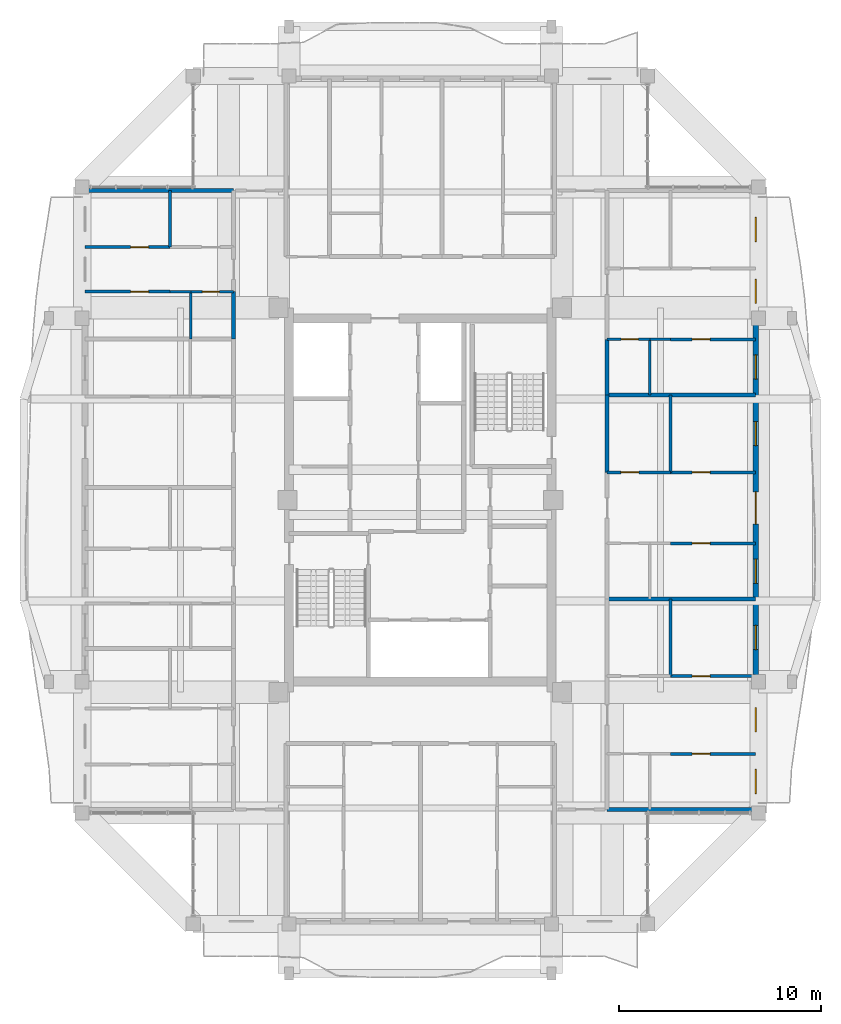
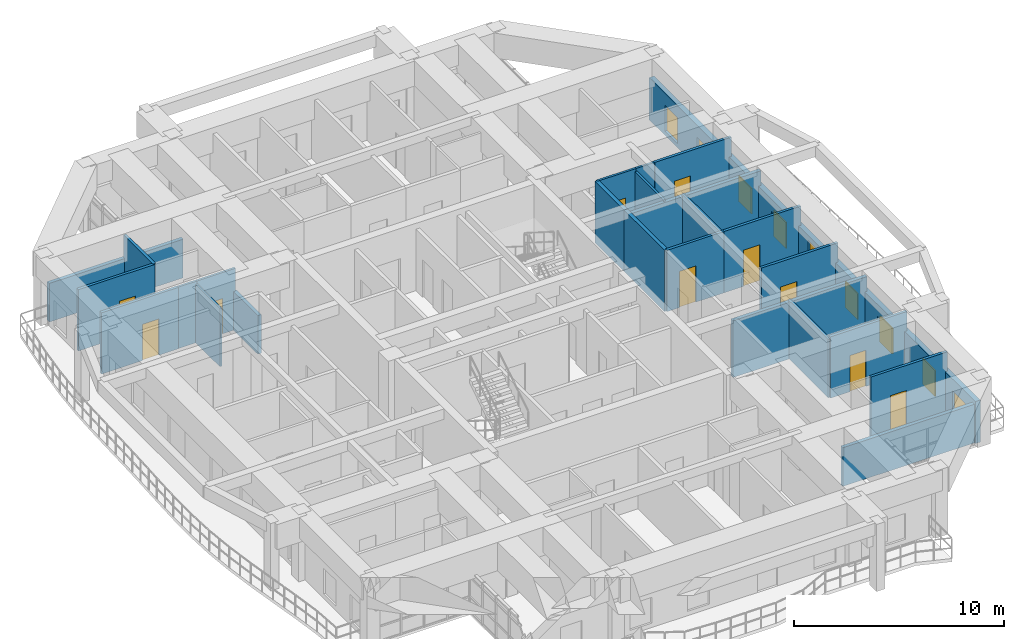
# One storey, part 19 of 27: 25 walls, 11 doors, 8 windows, 19 openings.
"""IFC4 building model written with IfcOpenShell, lengths in metres."""

from ifc_helpers import new_model, si_unit, direction, frame, frame_2d, origin, place, context, subcontext, project, spatial, rectangle, extrude, source, transform, mapped, material, layer, layer_set, type_object, element, fill, save


model = new_model("IFC4")

# Units and contexts
model_context = context("Model", 3, precision=1e-05, world=origin(), true_north=direction((0.0, 1.0)))
body_context = subcontext(model_context, "Body", "Model", "MODEL_VIEW")
ifc_project = project(units=[si_unit("LENGTHUNIT", "METRE"), si_unit("AREAUNIT", "SQUARE_METRE"), si_unit("VOLUMEUNIT", "CUBIC_METRE"), si_unit("PLANEANGLEUNIT", "RADIAN"), si_unit("MASSUNIT", "GRAM", prefix="KILO")], contexts=[model_context])

# Site, building, storey
site_placement = place(None, origin())
site = spatial("IfcSite", under=ifc_project, at=site_placement, CompositionType="ELEMENT")
building_placement = place(site_placement, origin())
building = spatial("IfcBuilding", under=site, at=building_placement, Name="Saelheon Loggia Tower", CompositionType="ELEMENT")
storey_placement = place(building_placement, frame((0.0, 0.0, 236.10009765625)))
storey = spatial("IfcBuildingStorey", under=building, at=storey_placement, Name="L73", CompositionType="ELEMENT", Elevation=236.10009765625)

# Wall, openings, windows, door
ifc_material_1 = material(Name="Architectural Precast Concrete C40/50", Category="concrete")
ifc_layer_1 = layer(ifc_material_1, 0.280029296875)
ifc_layer_set_1 = layer_set([ifc_layer_1], Name="Architectural Precast Concrete C40/50")
wall_type_1 = type_object("IfcWallType", Name="Wall_Ext_Loggia_280", PredefinedType="SOLIDWALL", material=ifc_layer_set_1)
wall_1_placement = place(storey_placement, frame((54.610107421875, 11.5, 0.0), z_axis=(0.0, 0.0, 1.0), x_axis=(0.0, 1.0, 0.0)))
wall_1 = element("IfcWall", 1, at=wall_1_placement, inside=storey, type_object=wall_type_1, Name="L73 East Loggia Inner Wall", PredefinedType="SOLIDWALL", context=body_context, shape_type="SweptSolid", body=[
    extrude(rectangle(XDim=31.0, YDim=0.280029296875, at=frame_2d((15.5, 0.0))), origin(), (0.0, 0.0, 1.0), 2.43994140625),
])
opening_1_placement = place(wall_1_placement, frame((0.9599609375, 0.0, 0.25)))
opening_1 = element("IfcOpeningElement", 2, at=opening_1_placement, cuts=wall_1, Name="Opening WN-03", PredefinedType="OPENING", context=body_context, shape_type="SweptSolid", body=[
    extrude(rectangle(XDim=1.199951171875, YDim=1.5, at=frame_2d((0.60009765625, 0.75))), frame((0.0, 0.152099609375, 0.0), z_axis=(0.0, -1.0, 0.0), x_axis=(1.0, 0.0, 0.0)), (0.0, 0.0, 1.0), 0.303955078125),
])
opening_2_placement = place(wall_1_placement, frame((4.02001953125, 0.0, 0.25)))
opening_2 = element("IfcOpeningElement", 3, at=opening_2_placement, cuts=wall_1, Name="Opening WN-03", PredefinedType="OPENING", context=body_context, shape_type="SweptSolid", body=[
    extrude(rectangle(XDim=1.199951171875, YDim=1.5, at=frame_2d((0.60009765625, 0.75))), frame((0.0, 0.152099609375, 0.0), z_axis=(0.0, -1.0, 0.0), x_axis=(1.0, 0.0, 0.0)), (0.0, 0.0, 1.0), 0.303955078125),
])
opening_3_placement = place(wall_1_placement, frame((8.0888671875, 0.0, 0.25)))
opening_3 = element("IfcOpeningElement", 4, at=opening_3_placement, cuts=wall_1, Name="Opening WN-03", PredefinedType="OPENING", context=body_context, shape_type="SweptSolid", body=[
    extrude(rectangle(XDim=1.199951171875, YDim=1.5, at=frame_2d((0.60009765625, 0.75))), frame((0.0, 0.152099609375, 0.0), z_axis=(0.0, -1.0, 0.0), x_axis=(1.0, 0.0, 0.0)), (0.0, 0.0, 1.0), 0.303955078125),
])
opening_4_placement = place(wall_1_placement, frame((11.37255859375, 0.0, 0.25)))
opening_4 = element("IfcOpeningElement", 5, at=opening_4_placement, cuts=wall_1, Name="Opening WN-03", PredefinedType="OPENING", context=body_context, shape_type="SweptSolid", body=[
    extrude(rectangle(XDim=1.199951171875, YDim=1.5, at=frame_2d((0.60009765625, 0.75))), frame((0.0, 0.152099609375, 0.0), z_axis=(0.0, -1.0, 0.0), x_axis=(1.0, 0.0, 0.0)), (0.0, 0.0, 1.0), 0.303955078125),
])
opening_5_placement = place(wall_1_placement, frame((15.906982421875, 0.0, 0.0), z_axis=(0.0, 0.0, 1.0), x_axis=(-1.0, 0.0, 0.0)))
opening_5 = element("IfcOpeningElement", 6, at=opening_5_placement, cuts=wall_1, Name="Opening DLG-1", PredefinedType="OPENING", context=body_context, shape_type="SweptSolid", body=[
    extrude(rectangle(XDim=1.60009765625, YDim=2.14990234375, at=frame_2d((0.800048828125, 1.074951171875))), frame((0.0, 0.152099609375, 0.0), z_axis=(0.0, -1.0, 0.0), x_axis=(1.0, 0.0, 0.0)), (0.0, 0.0, 1.0), 0.303955078125),
])
opening_6_placement = place(wall_1_placement, frame((18.1875, 0.0, 0.25)))
opening_6 = element("IfcOpeningElement", 7, at=opening_6_placement, cuts=wall_1, Name="Opening WN-03", PredefinedType="OPENING", context=body_context, shape_type="SweptSolid", body=[
    extrude(rectangle(XDim=1.199951171875, YDim=1.5, at=frame_2d((0.60009765625, 0.75))), frame((0.0, 0.152099609375, 0.0), z_axis=(0.0, -1.0, 0.0), x_axis=(1.0, 0.0, 0.0)), (0.0, 0.0, 1.0), 0.303955078125),
])
opening_7_placement = place(wall_1_placement, frame((21.48388671875, 0.0, 0.25)))
opening_7 = element("IfcOpeningElement", 8, at=opening_7_placement, cuts=wall_1, Name="Opening WN-03", PredefinedType="OPENING", context=body_context, shape_type="SweptSolid", body=[
    extrude(rectangle(XDim=1.199951171875, YDim=1.5, at=frame_2d((0.60009765625, 0.75))), frame((0.0, 0.152099609375, 0.0), z_axis=(0.0, -1.0, 0.0), x_axis=(1.0, 0.0, 0.0)), (0.0, 0.0, 1.0), 0.303955078125),
])
opening_8_placement = place(wall_1_placement, frame((25.23388671875, 0.0, 0.25)))
opening_8 = element("IfcOpeningElement", 9, at=opening_8_placement, cuts=wall_1, Name="Opening WN-03", PredefinedType="OPENING", context=body_context, shape_type="SweptSolid", body=[
    extrude(rectangle(XDim=1.199951171875, YDim=1.5, at=frame_2d((0.60009765625, 0.75))), frame((0.0, 0.152099609375, 0.0), z_axis=(0.0, -1.0, 0.0), x_axis=(1.0, 0.0, 0.0)), (0.0, 0.0, 1.0), 0.303955078125),
])
opening_9_placement = place(wall_1_placement, frame((28.293701171875, 0.0, 0.25)))
opening_9 = element("IfcOpeningElement", 10, at=opening_9_placement, cuts=wall_1, Name="Opening WN-03", PredefinedType="OPENING", context=body_context, shape_type="SweptSolid", body=[
    extrude(rectangle(XDim=1.199951171875, YDim=1.5, at=frame_2d((0.60009765625, 0.75))), frame((0.0, 0.152099609375, 0.0), z_axis=(0.0, -1.0, 0.0), x_axis=(1.0, 0.0, 0.0)), (0.0, 0.0, 1.0), 0.303955078125),
])
ifc_material_2 = material(Name="Thermal-Break Aluminium and Triple Low-E Glass", Category="aluminium")
window_type = type_object("IfcWindowType", Name="Win_Bedroom_1200x1500", PartitioningType="SINGLE_PANEL", PredefinedType="WINDOW", material=ifc_material_2)
shared_shape_1 = source(origin(), body_context, "Body", "SweptSolid", [
    extrude(rectangle(XDim=1.199951171875, YDim=1.5, at=frame_2d((0.60009765625, 0.75))), frame((0.0, 0.030029296875, 0.0), z_axis=(0.0, -1.0, 0.0), x_axis=(1.0, 0.0, 0.0)), (0.0, 0.0, 1.0), 0.06005859375),
])
window_1_placement = place(opening_1_placement, origin())
window_1 = element("IfcWindow", 11, at=window_1_placement, inside=storey, type_object=window_type, Name="L73 E Dwelling Window 1", OverallHeight=1.5, OverallWidth=1.199951171875, PartitioningType="SINGLE_PANEL", PredefinedType="WINDOW", context=body_context, shape_type="MappedRepresentation", body=[
    mapped(shared_shape_1, transform((0.0, 0.0, 0.0), scale=1.0)),
])
fill(opening_1, window_1)
window_2_placement = place(opening_2_placement, origin())
window_2 = element("IfcWindow", 12, at=window_2_placement, inside=storey, type_object=window_type, Name="L73 E Dwelling Window 2", OverallHeight=1.5, OverallWidth=1.199951171875, PartitioningType="SINGLE_PANEL", PredefinedType="WINDOW", context=body_context, shape_type="MappedRepresentation", body=[
    mapped(shared_shape_1, transform((0.0, 0.0, 0.0), scale=1.0)),
])
fill(opening_2, window_2)
window_3_placement = place(opening_3_placement, origin())
window_3 = element("IfcWindow", 13, at=window_3_placement, inside=storey, type_object=window_type, Name="L73 E Dwelling Window 3", OverallHeight=1.5, OverallWidth=1.199951171875, PartitioningType="SINGLE_PANEL", PredefinedType="WINDOW", context=body_context, shape_type="MappedRepresentation", body=[
    mapped(shared_shape_1, transform((0.0, 0.0, 0.0), scale=1.0)),
])
fill(opening_3, window_3)
window_4_placement = place(opening_4_placement, origin())
window_4 = element("IfcWindow", 14, at=window_4_placement, inside=storey, type_object=window_type, Name="L73 E Dwelling Window 4", OverallHeight=1.5, OverallWidth=1.199951171875, PartitioningType="SINGLE_PANEL", PredefinedType="WINDOW", context=body_context, shape_type="MappedRepresentation", body=[
    mapped(shared_shape_1, transform((0.0, 0.0, 0.0), scale=1.0)),
])
fill(opening_4, window_4)
window_5_placement = place(opening_6_placement, origin())
window_5 = element("IfcWindow", 15, at=window_5_placement, inside=storey, type_object=window_type, Name="L73 E Dwelling Window 6", OverallHeight=1.5, OverallWidth=1.199951171875, PartitioningType="SINGLE_PANEL", PredefinedType="WINDOW", context=body_context, shape_type="MappedRepresentation", body=[
    mapped(shared_shape_1, transform((0.0, 0.0, 0.0), scale=1.0)),
])
fill(opening_6, window_5)
window_6_placement = place(opening_7_placement, origin())
window_6 = element("IfcWindow", 16, at=window_6_placement, inside=storey, type_object=window_type, Name="L73 E Dwelling Window 7", OverallHeight=1.5, OverallWidth=1.199951171875, PartitioningType="SINGLE_PANEL", PredefinedType="WINDOW", context=body_context, shape_type="MappedRepresentation", body=[
    mapped(shared_shape_1, transform((0.0, 0.0, 0.0), scale=1.0)),
])
fill(opening_7, window_6)
window_7_placement = place(opening_8_placement, origin())
window_7 = element("IfcWindow", 17, at=window_7_placement, inside=storey, type_object=window_type, Name="L73 E Dwelling Window 8", OverallHeight=1.5, OverallWidth=1.199951171875, PartitioningType="SINGLE_PANEL", PredefinedType="WINDOW", context=body_context, shape_type="MappedRepresentation", body=[
    mapped(shared_shape_1, transform((0.0, 0.0, 0.0), scale=1.0)),
])
fill(opening_8, window_7)
window_8_placement = place(opening_9_placement, origin())
window_8 = element("IfcWindow", 18, at=window_8_placement, inside=storey, type_object=window_type, Name="L73 E Dwelling Window 9", OverallHeight=1.5, OverallWidth=1.199951171875, PartitioningType="SINGLE_PANEL", PredefinedType="WINDOW", context=body_context, shape_type="MappedRepresentation", body=[
    mapped(shared_shape_1, transform((0.0, 0.0, 0.0), scale=1.0)),
])
fill(opening_9, window_8)
ifc_material_3 = material(Name="Thermal-Break Aluminium Sliding Glazed Door", Category="aluminium")
door_type_1 = type_object("IfcDoorType", Name="Door_LoggiaSlide_1600", OperationType="SLIDING_TO_LEFT", PredefinedType="DOOR", material=ifc_material_3)
shared_shape_2 = source(origin(), body_context, "Body", "SweptSolid", [
    extrude(rectangle(XDim=1.60009765625, YDim=2.14990234375, at=frame_2d((0.800048828125, 1.074951171875))), frame((0.0, 0.02490234375, 0.0), z_axis=(0.0, -1.0, 0.0), x_axis=(1.0, 0.0, 0.0)), (0.0, 0.0, 1.0), 0.050048828125),
])
door_1_placement = place(opening_5_placement, origin())
door_1 = element("IfcDoor", 19, at=door_1_placement, inside=storey, type_object=door_type_1, Name="L73 E Loggia Access Door", OperationType="SLIDING_TO_LEFT", OverallHeight=2.14990234375, OverallWidth=1.60009765625, PredefinedType="DOOR", context=body_context, shape_type="MappedRepresentation", body=[
    mapped(shared_shape_2, transform((0.0, 0.0, 0.0), scale=1.0)),
])
fill(opening_5, door_1)

# Wall
ifc_material_4 = material(Name="Lightweight Autoclaved Aerated Concrete Block and Acoustic Gypsum", Category="concrete")
ifc_layer_2 = layer(ifc_material_4, 0.14990234375)
ifc_layer_set_2 = layer_set([ifc_layer_2], Name="Lightweight Autoclaved Aerated Concrete Block and Acoustic Gypsum")
wall_type_2 = type_object("IfcWallType", Name="Wall_Part_150", PredefinedType="PARTITIONING", material=ifc_layer_set_2)
wall_2_placement = place(storey_placement, frame((25.610107421875, 39.525634765625, 0.0), z_axis=(0.0, 0.0, 1.0), x_axis=(0.0, 1.0, 0.0)))
element("IfcWall", 20, at=wall_2_placement, inside=storey, type_object=wall_type_2, Name="L73 W Partition V36", PredefinedType="PARTITIONING", context=body_context, shape_type="SweptSolid", body=[
    extrude(rectangle(XDim=2.79443359375, YDim=0.14990234375, at=frame_2d((1.397216796875, 0.0))), origin(), (0.0, 0.0, 1.0), 3.559814453125),
])

# Wall, opening, door
wall_3_placement = place(storey_placement, frame((25.610107421875, 37.320068359375, 0.0), z_axis=(0.0, 0.0, 1.0), x_axis=(-1.0, 0.0, 0.0)))
wall_3 = element("IfcWall", 21, at=wall_3_placement, inside=storey, type_object=wall_type_2, Name="L73 W Partition U39", PredefinedType="PARTITIONING", context=body_context, shape_type="SweptSolid", body=[
    extrude(rectangle(XDim=4.210205078125, YDim=0.14990234375, at=frame_2d((2.10498046875, 0.0))), origin(), (0.0, 0.0, 1.0), 3.559814453125),
])
opening_10_placement = place(wall_3_placement, frame((1.0654296875, 0.0, 0.0)))
opening_10 = element("IfcOpeningElement", 22, at=opening_10_placement, cuts=wall_3, Name="Opening D-IN2", PredefinedType="OPENING", context=body_context, shape_type="SweptSolid", body=[
    extrude(rectangle(XDim=0.89990234375, YDim=2.10009765625, at=frame_2d((0.449951171875, 1.050048828125))), frame((0.0, 0.0869140625, 0.0), z_axis=(0.0, -1.0, 0.0), x_axis=(1.0, 0.0, 0.0)), (0.0, 0.0, 1.0), 0.173828125),
])
ifc_material_5 = material(Name="Engineered Oak Flush Door", Category="timber")
door_type_2 = type_object("IfcDoorType", Name="Door_Int_900", OperationType="NOTDEFINED", PredefinedType="DOOR", material=ifc_material_5)
shared_shape_3 = source(origin(), body_context, "Body", "SweptSolid", [
    extrude(rectangle(XDim=0.89990234375, YDim=2.10009765625, at=frame_2d((0.449951171875, 1.050048828125))), frame((0.0, 0.02490234375, 0.0), z_axis=(0.0, -1.0, 0.0), x_axis=(1.0, 0.0, 0.0)), (0.0, 0.0, 1.0), 0.050048828125),
])
door_2_placement = place(opening_10_placement, origin())
door_2 = element("IfcDoor", 23, at=door_2_placement, inside=storey, type_object=door_type_2, Name="Unit U08 Kitchen Door", OperationType="SINGLE_SWING_LEFT", OverallHeight=2.10009765625, OverallWidth=0.89990234375, PredefinedType="DOOR", context=body_context, shape_type="MappedRepresentation", body=[
    mapped(shared_shape_3, transform((0.0, 0.0, 0.0), scale=1.0)),
])
fill(opening_10, door_2)

wall_4_placement = place(storey_placement, frame((25.610107421875, 39.525634765625, 0.0), z_axis=(0.0, 0.0, 1.0), x_axis=(-1.0, 0.0, 0.0)))
wall_4 = element("IfcWall", 24, at=wall_4_placement, inside=storey, type_object=wall_type_2, Name="L73 W Partition U41", PredefinedType="PARTITIONING", context=body_context, shape_type="SweptSolid", body=[
    extrude(rectangle(XDim=4.210205078125, YDim=0.14990234375, at=frame_2d((2.10498046875, 0.0))), origin(), (0.0, 0.0, 1.0), 3.559814453125),
])
opening_11_placement = place(wall_4_placement, frame((1.0654296875, 0.0, 0.0)))
opening_11 = element("IfcOpeningElement", 25, at=opening_11_placement, cuts=wall_4, Name="Opening D-IN2", PredefinedType="OPENING", context=body_context, shape_type="SweptSolid", body=[
    extrude(rectangle(XDim=0.89990234375, YDim=2.10009765625, at=frame_2d((0.449951171875, 1.050048828125))), frame((0.0, 0.0869140625, 0.0), z_axis=(0.0, -1.0, 0.0), x_axis=(1.0, 0.0, 0.0)), (0.0, 0.0, 1.0), 0.173828125),
])
door_3_placement = place(opening_11_placement, origin())
door_3 = element("IfcDoor", 26, at=door_3_placement, inside=storey, type_object=door_type_2, Name="Unit U08 Bedroom 1 Door", OperationType="SINGLE_SWING_LEFT", OverallHeight=2.10009765625, OverallWidth=0.89990234375, PredefinedType="DOOR", context=body_context, shape_type="MappedRepresentation", body=[
    mapped(shared_shape_3, transform((0.0, 0.0, 0.0), scale=1.0)),
])
fill(opening_11, door_3)

# Wall
wall_5_placement = place(storey_placement, frame((50.389892578125, 18.280029296875, 0.0), z_axis=(0.0, 0.0, 1.0), x_axis=(0.0, 1.0, 0.0)))
element("IfcWall", 27, at=wall_5_placement, inside=storey, type_object=wall_type_2, Name="L73 E Partition V07", PredefinedType="PARTITIONING", context=body_context, shape_type="SweptSolid", body=[
    extrude(rectangle(XDim=3.817626953125, YDim=0.14990234375, at=frame_2d((1.90869140625, 0.0))), origin(), (0.0, 0.0, 1.0), 3.389892578125),
])

# Wall, opening, door
wall_6_placement = place(storey_placement, frame((50.389892578125, 14.429931640625, 0.0), z_axis=(0.0, 0.0, 1.0), x_axis=(1.0, 0.0, 0.0)))
wall_6 = element("IfcWall", 28, at=wall_6_placement, inside=storey, type_object=wall_type_2, Name="L73 E Partition U10", PredefinedType="PARTITIONING", context=body_context, shape_type="SweptSolid", body=[
    extrude(rectangle(XDim=4.210205078125, YDim=0.14990234375, at=frame_2d((2.10498046875, 0.0))), origin(), (0.0, 0.0, 1.0), 3.559814453125),
])
opening_12_placement = place(wall_6_placement, frame((1.0654296875, 0.0, 0.0)))
opening_12 = element("IfcOpeningElement", 29, at=opening_12_placement, cuts=wall_6, Name="Opening D-IN2", PredefinedType="OPENING", context=body_context, shape_type="SweptSolid", body=[
    extrude(rectangle(XDim=0.89990234375, YDim=2.10009765625, at=frame_2d((0.449951171875, 1.050048828125))), frame((0.0, 0.0869140625, 0.0), z_axis=(0.0, -1.0, 0.0), x_axis=(1.0, 0.0, 0.0)), (0.0, 0.0, 1.0), 0.173828125),
])
door_4_placement = place(opening_12_placement, origin())
door_4 = element("IfcDoor", 30, at=door_4_placement, inside=storey, type_object=door_type_2, Name="Unit U09 Kitchen Door", OperationType="SINGLE_SWING_RIGHT", OverallHeight=2.10009765625, OverallWidth=0.89990234375, PredefinedType="DOOR", context=body_context, shape_type="MappedRepresentation", body=[
    mapped(shared_shape_3, transform((0.0, 0.0, 0.0), scale=1.0)),
])
fill(opening_12, door_4)

wall_7_placement = place(storey_placement, frame((50.389892578125, 18.280029296875, 0.0), z_axis=(0.0, 0.0, 1.0), x_axis=(1.0, 0.0, 0.0)))
wall_7 = element("IfcWall", 31, at=wall_7_placement, inside=storey, type_object=wall_type_2, Name="L73 E Partition U12", PredefinedType="PARTITIONING", context=body_context, shape_type="SweptSolid", body=[
    extrude(rectangle(XDim=4.210205078125, YDim=0.14990234375, at=frame_2d((2.10498046875, 0.0))), origin(), (0.0, 0.0, 1.0), 3.559814453125),
])
opening_13_placement = place(wall_7_placement, frame((1.0654296875, 0.0, 0.0)))
opening_13 = element("IfcOpeningElement", 32, at=opening_13_placement, cuts=wall_7, Name="Opening D-IN2", PredefinedType="OPENING", context=body_context, shape_type="SweptSolid", body=[
    extrude(rectangle(XDim=0.89990234375, YDim=2.10009765625, at=frame_2d((0.449951171875, 1.050048828125))), frame((0.0, 0.0869140625, 0.0), z_axis=(0.0, -1.0, 0.0), x_axis=(1.0, 0.0, 0.0)), (0.0, 0.0, 1.0), 0.173828125),
])
door_5_placement = place(opening_13_placement, origin())
door_5 = element("IfcDoor", 33, at=door_5_placement, inside=storey, type_object=door_type_2, Name="Unit U09 Bedroom 1 Door", OperationType="SINGLE_SWING_RIGHT", OverallHeight=2.10009765625, OverallWidth=0.89990234375, PredefinedType="DOOR", context=body_context, shape_type="MappedRepresentation", body=[
    mapped(shared_shape_3, transform((0.0, 0.0, 0.0), scale=1.0)),
])
fill(opening_13, door_5)

# Wall
wall_8_placement = place(storey_placement, frame((50.389892578125, 28.366455078125, 0.0), z_axis=(0.0, 0.0, 1.0), x_axis=(0.0, 1.0, 0.0)))
element("IfcWall", 34, at=wall_8_placement, inside=storey, type_object=wall_type_2, Name="L73 E Partition V18", PredefinedType="PARTITIONING", context=body_context, shape_type="SweptSolid", body=[
    extrude(rectangle(XDim=3.84228515625, YDim=0.14990234375, at=frame_2d((1.921142578125, 0.0))), origin(), (0.0, 0.0, 1.0), 3.389892578125),
])

# Wall, opening, door
wall_9_placement = place(storey_placement, frame((50.389892578125, 24.84765625, 0.0), z_axis=(0.0, 0.0, 1.0), x_axis=(1.0, 0.0, 0.0)))
wall_9 = element("IfcWall", 35, at=wall_9_placement, inside=storey, type_object=wall_type_2, Name="L73 E Partition U21", PredefinedType="PARTITIONING", context=body_context, shape_type="SweptSolid", body=[
    extrude(rectangle(XDim=4.210205078125, YDim=0.14990234375, at=frame_2d((2.10498046875, 0.0))), origin(), (0.0, 0.0, 1.0), 3.559814453125),
])
opening_14_placement = place(wall_9_placement, frame((1.0654296875, 0.0, 0.0)))
opening_14 = element("IfcOpeningElement", 36, at=opening_14_placement, cuts=wall_9, Name="Opening D-IN2", PredefinedType="OPENING", context=body_context, shape_type="SweptSolid", body=[
    extrude(rectangle(XDim=0.89990234375, YDim=2.10009765625, at=frame_2d((0.449951171875, 1.050048828125))), frame((0.0, 0.0869140625, 0.0), z_axis=(0.0, -1.0, 0.0), x_axis=(1.0, 0.0, 0.0)), (0.0, 0.0, 1.0), 0.173828125),
])
door_6_placement = place(opening_14_placement, origin())
door_6 = element("IfcDoor", 37, at=door_6_placement, inside=storey, type_object=door_type_2, Name="Unit U10 Kitchen Door", OperationType="SINGLE_SWING_LEFT", OverallHeight=2.10009765625, OverallWidth=0.89990234375, PredefinedType="DOOR", context=body_context, shape_type="MappedRepresentation", body=[
    mapped(shared_shape_3, transform((0.0, 0.0, 0.0), scale=1.0)),
])
fill(opening_14, door_6)

wall_10_placement = place(storey_placement, frame((47.25, 28.366455078125, 0.0), z_axis=(0.0, 0.0, 1.0), x_axis=(1.0, 0.0, 0.0)))
wall_10 = element("IfcWall", 38, at=wall_10_placement, inside=storey, type_object=wall_type_2, Name="L73 E Partition U22", PredefinedType="PARTITIONING", context=body_context, shape_type="SweptSolid", body=[
    extrude(rectangle(XDim=3.139892578125, YDim=0.14990234375, at=frame_2d((1.56982421875, 0.0))), origin(), (0.0, 0.0, 1.0), 3.559814453125),
])
opening_15_placement = place(wall_10_placement, frame((0.679931640625, 0.0, 0.0)))
opening_15 = element("IfcOpeningElement", 39, at=opening_15_placement, cuts=wall_10, Name="Opening D-IN2", PredefinedType="OPENING", context=body_context, shape_type="SweptSolid", body=[
    extrude(rectangle(XDim=0.89990234375, YDim=2.10009765625, at=frame_2d((0.449951171875, 1.050048828125))), frame((0.0, 0.0869140625, 0.0), z_axis=(0.0, -1.0, 0.0), x_axis=(1.0, 0.0, 0.0)), (0.0, 0.0, 1.0), 0.173828125),
])
door_7_placement = place(opening_15_placement, origin())
door_7 = element("IfcDoor", 40, at=door_7_placement, inside=storey, type_object=door_type_2, Name="Unit U10 Private Study Door", OperationType="SINGLE_SWING_RIGHT", OverallHeight=2.10009765625, OverallWidth=0.89990234375, PredefinedType="DOOR", context=body_context, shape_type="MappedRepresentation", body=[
    mapped(shared_shape_3, transform((0.0, 0.0, 0.0), scale=1.0)),
])
fill(opening_15, door_7)

wall_11_placement = place(storey_placement, frame((50.389892578125, 28.366455078125, 0.0), z_axis=(0.0, 0.0, 1.0), x_axis=(1.0, 0.0, 0.0)))
wall_11 = element("IfcWall", 41, at=wall_11_placement, inside=storey, type_object=wall_type_2, Name="L73 E Partition U23", PredefinedType="PARTITIONING", context=body_context, shape_type="SweptSolid", body=[
    extrude(rectangle(XDim=4.210205078125, YDim=0.14990234375, at=frame_2d((2.10498046875, 0.0))), origin(), (0.0, 0.0, 1.0), 3.559814453125),
])
opening_16_placement = place(wall_11_placement, frame((1.0654296875, 0.0, 0.0)))
opening_16 = element("IfcOpeningElement", 42, at=opening_16_placement, cuts=wall_11, Name="Opening D-IN2", PredefinedType="OPENING", context=body_context, shape_type="SweptSolid", body=[
    extrude(rectangle(XDim=0.89990234375, YDim=2.10009765625, at=frame_2d((0.449951171875, 1.050048828125))), frame((0.0, 0.0869140625, 0.0), z_axis=(0.0, -1.0, 0.0), x_axis=(1.0, 0.0, 0.0)), (0.0, 0.0, 1.0), 0.173828125),
])
door_8_placement = place(opening_16_placement, origin())
door_8 = element("IfcDoor", 43, at=door_8_placement, inside=storey, type_object=door_type_2, Name="Unit U10 Bedroom 1 Door", OperationType="SINGLE_SWING_LEFT", OverallHeight=2.10009765625, OverallWidth=0.89990234375, PredefinedType="DOOR", context=body_context, shape_type="MappedRepresentation", body=[
    mapped(shared_shape_3, transform((0.0, 0.0, 0.0), scale=1.0)),
])
fill(opening_16, door_8)

wall_12_placement = place(storey_placement, frame((50.389892578125, 34.958740234375, 0.0), z_axis=(0.0, 0.0, 1.0), x_axis=(1.0, 0.0, 0.0)))
wall_12 = element("IfcWall", 44, at=wall_12_placement, inside=storey, type_object=wall_type_2, Name="L73 E Partition U32", PredefinedType="PARTITIONING", context=body_context, shape_type="SweptSolid", body=[
    extrude(rectangle(XDim=4.210205078125, YDim=0.14990234375, at=frame_2d((2.10498046875, 0.0))), origin(), (0.0, 0.0, 1.0), 3.559814453125),
])
opening_17_placement = place(wall_12_placement, frame((1.0654296875, 0.0, 0.0)))
opening_17 = element("IfcOpeningElement", 45, at=opening_17_placement, cuts=wall_12, Name="Opening D-IN2", PredefinedType="OPENING", context=body_context, shape_type="SweptSolid", body=[
    extrude(rectangle(XDim=0.89990234375, YDim=2.10009765625, at=frame_2d((0.449951171875, 1.050048828125))), frame((0.0, 0.0869140625, 0.0), z_axis=(0.0, -1.0, 0.0), x_axis=(1.0, 0.0, 0.0)), (0.0, 0.0, 1.0), 0.173828125),
])
door_9_placement = place(opening_17_placement, origin())
door_9 = element("IfcDoor", 46, at=door_9_placement, inside=storey, type_object=door_type_2, Name="Unit U11 Kitchen Door", OperationType="SINGLE_SWING_RIGHT", OverallHeight=2.10009765625, OverallWidth=0.89990234375, PredefinedType="DOOR", context=body_context, shape_type="MappedRepresentation", body=[
    mapped(shared_shape_3, transform((0.0, 0.0, 0.0), scale=1.0)),
])
fill(opening_17, door_9)

# Walls
ifc_material_6 = material(Name="Double Acoustic Stud and Fireboard Partition", Category="gypsum")
ifc_layer_3 = layer(ifc_material_6, 0.199951171875)
ifc_layer_set_3 = layer_set([ifc_layer_3], Name="Double Acoustic Stud and Fireboard Partition")
wall_type_3 = type_object("IfcWallType", Name="Wall_Party_200", PredefinedType="PARTITIONING", material=ifc_layer_set_3)
wall_13_placement = place(storey_placement, frame((28.75, 42.320068359375, 0.0), z_axis=(0.0, 0.0, 1.0), x_axis=(-1.0, 0.0, 0.0)))
element("IfcWall", 47, at=wall_13_placement, inside=storey, type_object=wall_type_3, Name="L73 W Partition U02", PredefinedType="PARTITIONING", context=body_context, shape_type="SweptSolid", body=[
    extrude(rectangle(XDim=7.35009765625, YDim=0.199951171875, at=frame_2d((3.675048828125, 0.0))), origin(), (0.0, 0.0, 1.0), 2.239990234375),
])
wall_14_placement = place(storey_placement, frame((28.75, 34.96630859375, 0.0), z_axis=(0.0, 0.0, 1.0), x_axis=(0.0, 1.0, 0.0)))
element("IfcWall", 48, at=wall_14_placement, inside=storey, type_object=wall_type_3, Name="L73 W Partition V32", PredefinedType="PARTITIONING", context=body_context, shape_type="SweptSolid", body=[
    extrude(rectangle(XDim=2.353759765625, YDim=0.199951171875, at=frame_2d((1.1767578125, 0.0))), origin(), (0.0, 0.0, 1.0), 2.239990234375),
])
wall_15_placement = place(storey_placement, frame((47.25, 11.679931640625, 0.0), z_axis=(0.0, 0.0, 1.0), x_axis=(1.0, 0.0, 0.0)))
element("IfcWall", 49, at=wall_15_placement, inside=storey, type_object=wall_type_3, Name="L73 E Partition U01", PredefinedType="PARTITIONING", context=body_context, shape_type="SweptSolid", body=[
    extrude(rectangle(XDim=7.35009765625, YDim=0.199951171875, at=frame_2d((3.675048828125, 0.0))), origin(), (0.0, 0.0, 1.0), 2.239990234375),
])
wall_16_placement = place(storey_placement, frame((47.25, 22.09765625, 0.0), z_axis=(0.0, 0.0, 1.0), x_axis=(1.0, 0.0, 0.0)))
element("IfcWall", 50, at=wall_16_placement, inside=storey, type_object=wall_type_3, Name="L73 E Partition U13", PredefinedType="PARTITIONING", context=body_context, shape_type="SweptSolid", body=[
    extrude(rectangle(XDim=7.35009765625, YDim=0.199951171875, at=frame_2d((3.675048828125, 0.0))), origin(), (0.0, 0.0, 1.0), 3.289794921875),
])
wall_17_placement = place(storey_placement, frame((47.25, 28.366455078125, 0.0), z_axis=(0.0, 0.0, 1.0), x_axis=(0.0, 1.0, 0.0)))
element("IfcWall", 51, at=wall_17_placement, inside=storey, type_object=wall_type_3, Name="L73 E Partition V16", PredefinedType="PARTITIONING", context=body_context, shape_type="SweptSolid", body=[
    extrude(rectangle(XDim=3.84228515625, YDim=0.199951171875, at=frame_2d((1.921142578125, 0.0))), origin(), (0.0, 0.0, 1.0), 3.559814453125),
])
wall_18_placement = place(storey_placement, frame((47.25, 32.208740234375, 0.0), z_axis=(0.0, 0.0, 1.0), x_axis=(1.0, 0.0, 0.0)))
element("IfcWall", 52, at=wall_18_placement, inside=storey, type_object=wall_type_3, Name="L73 E Partition U24", PredefinedType="PARTITIONING", context=body_context, shape_type="SweptSolid", body=[
    extrude(rectangle(XDim=7.35009765625, YDim=0.199951171875, at=frame_2d((3.675048828125, 0.0))), origin(), (0.0, 0.0, 1.0), 3.289794921875),
])
wall_19_placement = place(storey_placement, frame((47.25, 32.208740234375, 0.0), z_axis=(0.0, 0.0, 1.0), x_axis=(0.0, 1.0, 0.0)))
element("IfcWall", 53, at=wall_19_placement, inside=storey, type_object=wall_type_3, Name="L73 E Partition V25", PredefinedType="PARTITIONING", context=body_context, shape_type="SweptSolid", body=[
    extrude(rectangle(XDim=2.75, YDim=0.199951171875, at=frame_2d((1.375, 0.0))), origin(), (0.0, 0.0, 1.0), 3.559814453125),
])
ifc_material_7 = material(Name="Moisture-Resistant Cement Board Partition", Category="gypsum")
ifc_layer_4 = layer(ifc_material_7, 0.1201171875)
ifc_layer_set_4 = layer_set([ifc_layer_4], Name="Moisture-Resistant Cement Board Partition")
wall_type_4 = type_object("IfcWallType", Name="Wall_WetPart_120", PredefinedType="PARTITIONING", material=ifc_layer_set_4)
wall_20_placement = place(storey_placement, frame((26.6298828125, 34.96630859375, 0.0), z_axis=(0.0, 0.0, 1.0), x_axis=(0.0, 1.0, 0.0)))
element("IfcWall", 54, at=wall_20_placement, inside=storey, type_object=wall_type_4, Name="L73 W Partition V35", PredefinedType="PARTITIONING", context=body_context, shape_type="SweptSolid", body=[
    extrude(rectangle(XDim=2.353759765625, YDim=0.1201171875, at=frame_2d((1.1767578125, 0.0))), origin(), (0.0, 0.0, 1.0), 3.389892578125),
])

# Wall, opening, door
wall_21_placement = place(storey_placement, frame((28.75, 37.320068359375, 0.0), z_axis=(0.0, 0.0, 1.0), x_axis=(-1.0, 0.0, 0.0)))
wall_21 = element("IfcWall", 55, at=wall_21_placement, inside=storey, type_object=wall_type_4, Name="L73 W Partition U37", PredefinedType="PARTITIONING", context=body_context, shape_type="SweptSolid", body=[
    extrude(rectangle(XDim=2.1201171875, YDim=0.1201171875, at=frame_2d((1.06005859375, 0.0))), origin(), (0.0, 0.0, 1.0), 3.559814453125),
])
opening_18_placement = place(wall_21_placement, frame((0.70068359375, 0.0, 0.0)))
opening_18 = element("IfcOpeningElement", 56, at=opening_18_placement, cuts=wall_21, Name="Opening D-BT1", PredefinedType="OPENING", context=body_context, shape_type="SweptSolid", body=[
    extrude(rectangle(XDim=0.85009765625, YDim=2.050048828125, at=frame_2d((0.425048828125, 1.02490234375))), frame((0.0, 0.072021484375, 0.0), z_axis=(0.0, -1.0, 0.0), x_axis=(1.0, 0.0, 0.0)), (0.0, 0.0, 1.0), 0.14404296875),
])
ifc_material_8 = material(Name="Moisture-Resistant Laminate Timber Door", Category="wood")
door_type_3 = type_object("IfcDoorType", Name="Door_Bath_850", OperationType="NOTDEFINED", PredefinedType="DOOR", material=ifc_material_8)
shared_shape_4 = source(origin(), body_context, "Body", "SweptSolid", [
    extrude(rectangle(XDim=0.85009765625, YDim=2.050048828125, at=frame_2d((0.425048828125, 1.02490234375))), frame((0.0, 0.02490234375, 0.0), z_axis=(0.0, -1.0, 0.0), x_axis=(1.0, 0.0, 0.0)), (0.0, 0.0, 1.0), 0.050048828125),
])
door_10_placement = place(opening_18_placement, origin())
door_10 = element("IfcDoor", 57, at=door_10_placement, inside=storey, type_object=door_type_3, Name="Unit U08 Bathroom Door", OperationType="SINGLE_SWING_RIGHT", OverallHeight=2.050048828125, OverallWidth=0.85009765625, PredefinedType="DOOR", context=body_context, shape_type="MappedRepresentation", body=[
    mapped(shared_shape_4, transform((0.0, 0.0, 0.0), scale=1.0)),
])
fill(opening_18, door_10)

# Walls
wall_22_placement = place(storey_placement, frame((26.6298828125, 37.320068359375, 0.0), z_axis=(0.0, 0.0, 1.0), x_axis=(-1.0, 0.0, 0.0)))
element("IfcWall", 58, at=wall_22_placement, inside=storey, type_object=wall_type_4, Name="L73 W Partition U38", PredefinedType="PARTITIONING", context=body_context, shape_type="SweptSolid", body=[
    extrude(rectangle(XDim=1.019775390625, YDim=0.1201171875, at=frame_2d((0.509765625, 0.0))), origin(), (0.0, 0.0, 1.0), 3.559814453125),
])
wall_23_placement = place(storey_placement, frame((49.3701171875, 32.208740234375, 0.0), z_axis=(0.0, 0.0, 1.0), x_axis=(0.0, 1.0, 0.0)))
element("IfcWall", 59, at=wall_23_placement, inside=storey, type_object=wall_type_4, Name="L73 E Partition V28", PredefinedType="PARTITIONING", context=body_context, shape_type="SweptSolid", body=[
    extrude(rectangle(XDim=2.75, YDim=0.1201171875, at=frame_2d((1.375, 0.0))), origin(), (0.0, 0.0, 1.0), 3.389892578125),
])

# Wall, opening, door
wall_24_placement = place(storey_placement, frame((47.25, 34.958740234375, 0.0), z_axis=(0.0, 0.0, 1.0), x_axis=(1.0, 0.0, 0.0)))
wall_24 = element("IfcWall", 60, at=wall_24_placement, inside=storey, type_object=wall_type_4, Name="L73 E Partition U30", PredefinedType="PARTITIONING", context=body_context, shape_type="SweptSolid", body=[
    extrude(rectangle(XDim=2.1201171875, YDim=0.1201171875, at=frame_2d((1.06005859375, 0.0))), origin(), (0.0, 0.0, 1.0), 3.559814453125),
])
opening_19_placement = place(wall_24_placement, frame((0.70068359375, 0.0, 0.0)))
opening_19 = element("IfcOpeningElement", 61, at=opening_19_placement, cuts=wall_24, Name="Opening D-BT1", PredefinedType="OPENING", context=body_context, shape_type="SweptSolid", body=[
    extrude(rectangle(XDim=0.85009765625, YDim=2.050048828125, at=frame_2d((0.425048828125, 1.02490234375))), frame((0.0, 0.072021484375, 0.0), z_axis=(0.0, -1.0, 0.0), x_axis=(1.0, 0.0, 0.0)), (0.0, 0.0, 1.0), 0.14404296875),
])
door_11_placement = place(opening_19_placement, origin())
door_11 = element("IfcDoor", 62, at=door_11_placement, inside=storey, type_object=door_type_3, Name="Unit U11 Bathroom Door", OperationType="SINGLE_SWING_LEFT", OverallHeight=2.050048828125, OverallWidth=0.85009765625, PredefinedType="DOOR", context=body_context, shape_type="MappedRepresentation", body=[
    mapped(shared_shape_4, transform((0.0, 0.0, 0.0), scale=1.0)),
])
fill(opening_19, door_11)

# Wall
wall_25_placement = place(storey_placement, frame((49.3701171875, 34.958740234375, 0.0), z_axis=(0.0, 0.0, 1.0), x_axis=(1.0, 0.0, 0.0)))
element("IfcWall", 63, at=wall_25_placement, inside=storey, type_object=wall_type_4, Name="L73 E Partition U31", PredefinedType="PARTITIONING", context=body_context, shape_type="SweptSolid", body=[
    extrude(rectangle(XDim=1.019775390625, YDim=0.1201171875, at=frame_2d((0.509765625, 0.0))), origin(), (0.0, 0.0, 1.0), 3.559814453125),
])

save(model, "model.ifc")
